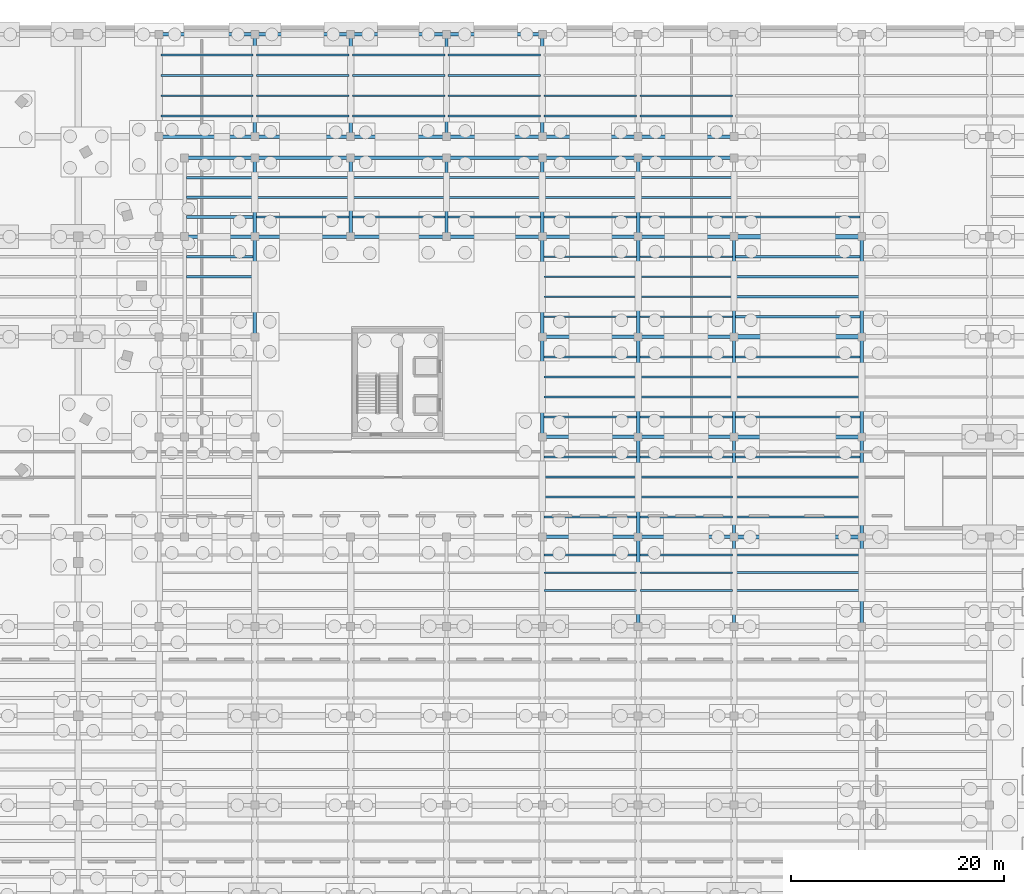
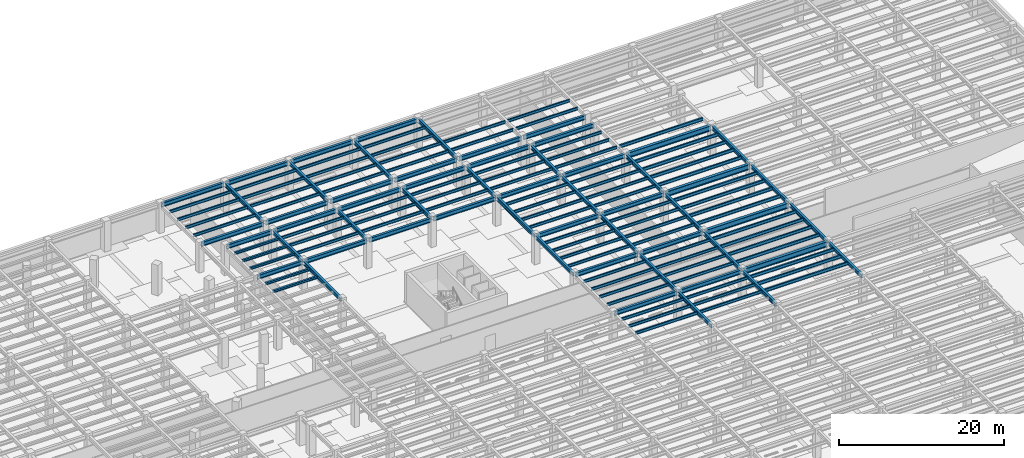
# One storey, part 25 of 49: 142 beams.
"""IFC4 building model written with IfcOpenShell, lengths in metres."""

from ifc_helpers import new_model, si_unit, direction, frame, origin, origin_2d, place, context, subcontext, project, spatial, i_section, extrude, material, material_profile, profile_set, type_object, element, save


model = new_model("IFC4")

# Units and contexts
model_context = context("Model", 3, precision=1e-05, world=origin(), true_north=direction((0.0, 1.0)))
body_context = subcontext(model_context, "Body", "Model", "MODEL_VIEW")
ifc_project = project(units=[si_unit("LENGTHUNIT", "METRE"), si_unit("AREAUNIT", "SQUARE_METRE"), si_unit("VOLUMEUNIT", "CUBIC_METRE"), si_unit("PLANEANGLEUNIT", "RADIAN"), si_unit("MASSUNIT", "GRAM", prefix="KILO")], contexts=[model_context])

# Site, building, storey
site_placement = place(None, origin())
site = spatial("IfcSite", under=ifc_project, at=site_placement, CompositionType="ELEMENT")
building_placement = place(site_placement, origin())
building = spatial("IfcBuilding", under=site, at=building_placement, Name="Sollismere Congress Hotel", CompositionType="ELEMENT")
storey_placement = place(building_placement, frame((0.0, 0.0, -4.5)))
storey = spatial("IfcBuildingStorey", under=building, at=storey_placement, Name="B1", CompositionType="ELEMENT", Elevation=-4.5)

# Beams
ifc_material = material(Name="Steel ASTM A992 Grade 50", Category="steel")
ifc_material_profile_1 = material_profile(ifc_material, i_section(OverallWidth=0.31494140625, OverallDepth=0.551025390625, WebThickness=0.01513671875, FlangeThickness=0.0244140625, at=origin_2d()), Name="W21X122")
ifc_profile_set_1 = profile_set([ifc_material_profile_1], Name="Steel ASTM A992 Grade 50")
beam_type_1 = type_object("IfcBeamType", Name="BM-G21H", PredefinedType="BEAM", material=ifc_profile_set_1)
beam_1_placement = place(storey_placement, frame((67.0, 85.739990234375, 3.924560546875), z_axis=(0.0, 1.0, 0.0), x_axis=(-1.0, 0.0, 0.0)))
element("IfcBeam", 1, at=beam_1_placement, inside=storey, type_object=beam_type_1, Name="Beam BM-B1-0342", PredefinedType="BEAM", context=body_context, shape_type="SweptSolid", body=[
    extrude(i_section(OverallWidth=0.31494140625, OverallDepth=0.551025390625, WebThickness=0.01513671875, FlangeThickness=0.0244140625, at=origin_2d()), origin(), (0.0, 0.0, 1.0), 9.1201171875),
])
beam_2_placement = place(storey_placement, frame((67.0, 95.139892578125, 3.924560546875), z_axis=(0.0, 1.0, 0.0), x_axis=(-1.0, 0.0, 0.0)))
element("IfcBeam", 2, at=beam_2_placement, inside=storey, type_object=beam_type_1, Name="Beam BM-B1-0343", PredefinedType="BEAM", context=body_context, shape_type="SweptSolid", body=[
    extrude(i_section(OverallWidth=0.31494140625, OverallDepth=0.551025390625, WebThickness=0.01513671875, FlangeThickness=0.0244140625, at=origin_2d()), origin(), (0.0, 0.0, 1.0), 7.1201171875),
])
beam_3_placement = place(storey_placement, frame((67.0, 104.5400390625, 3.924560546875), z_axis=(0.0, 1.0, 0.0), x_axis=(-1.0, 0.0, 0.0)))
element("IfcBeam", 3, at=beam_3_placement, inside=storey, type_object=beam_type_1, Name="Beam BM-B1-0344", PredefinedType="BEAM", context=body_context, shape_type="SweptSolid", body=[
    extrude(i_section(OverallWidth=0.31494140625, OverallDepth=0.551025390625, WebThickness=0.01513671875, FlangeThickness=0.0244140625, at=origin_2d()), origin(), (0.0, 0.0, 1.0), 9.320068359375),
])
beam_4_placement = place(storey_placement, frame((76.0, 95.139892578125, 3.924560546875), z_axis=(0.0, 1.0, 0.0), x_axis=(-1.0, 0.0, 0.0)))
element("IfcBeam", 4, at=beam_4_placement, inside=storey, type_object=beam_type_1, Name="Beam BM-B1-0355", PredefinedType="BEAM", context=body_context, shape_type="SweptSolid", body=[
    extrude(i_section(OverallWidth=0.31494140625, OverallDepth=0.551025390625, WebThickness=0.01513671875, FlangeThickness=0.0244140625, at=origin_2d()), origin(), (0.0, 0.0, 1.0), 7.1201171875),
])
beam_5_placement = place(storey_placement, frame((76.0, 104.5400390625, 3.924560546875), z_axis=(0.0, 1.0, 0.0), x_axis=(-1.0, 0.0, 0.0)))
element("IfcBeam", 5, at=beam_5_placement, inside=storey, type_object=beam_type_1, Name="Beam BM-B1-0356", PredefinedType="BEAM", context=body_context, shape_type="SweptSolid", body=[
    extrude(i_section(OverallWidth=0.31494140625, OverallDepth=0.551025390625, WebThickness=0.01513671875, FlangeThickness=0.0244140625, at=origin_2d()), origin(), (0.0, 0.0, 1.0), 9.320068359375),
])
beam_6_placement = place(storey_placement, frame((85.0, 95.139892578125, 3.924560546875), z_axis=(0.0, 1.0, 0.0), x_axis=(-1.0, 0.0, 0.0)))
element("IfcBeam", 6, at=beam_6_placement, inside=storey, type_object=beam_type_1, Name="Beam BM-B1-0367", PredefinedType="BEAM", context=body_context, shape_type="SweptSolid", body=[
    extrude(i_section(OverallWidth=0.31494140625, OverallDepth=0.551025390625, WebThickness=0.01513671875, FlangeThickness=0.0244140625, at=origin_2d()), origin(), (0.0, 0.0, 1.0), 7.1201171875),
])
beam_7_placement = place(storey_placement, frame((85.0, 104.5400390625, 3.924560546875), z_axis=(0.0, 1.0, 0.0), x_axis=(-1.0, 0.0, 0.0)))
element("IfcBeam", 7, at=beam_7_placement, inside=storey, type_object=beam_type_1, Name="Beam BM-B1-0368", PredefinedType="BEAM", context=body_context, shape_type="SweptSolid", body=[
    extrude(i_section(OverallWidth=0.31494140625, OverallDepth=0.551025390625, WebThickness=0.01513671875, FlangeThickness=0.0244140625, at=origin_2d()), origin(), (0.0, 0.0, 1.0), 9.320068359375),
])
beam_8_placement = place(storey_placement, frame((94.0, 76.340087890625, 3.924560546875), z_axis=(0.0, 1.0, 0.0), x_axis=(-1.0, 0.0, 0.0)))
element("IfcBeam", 8, at=beam_8_placement, inside=storey, type_object=beam_type_1, Name="Beam BM-B1-0378", PredefinedType="BEAM", context=body_context, shape_type="SweptSolid", body=[
    extrude(i_section(OverallWidth=0.31494140625, OverallDepth=0.551025390625, WebThickness=0.01513671875, FlangeThickness=0.0244140625, at=origin_2d()), origin(), (0.0, 0.0, 1.0), 9.119873046875),
])
beam_9_placement = place(storey_placement, frame((94.0, 85.739990234375, 3.924560546875), z_axis=(0.0, 1.0, 0.0), x_axis=(-1.0, 0.0, 0.0)))
element("IfcBeam", 9, at=beam_9_placement, inside=storey, type_object=beam_type_1, Name="Beam BM-B1-0379", PredefinedType="BEAM", context=body_context, shape_type="SweptSolid", body=[
    extrude(i_section(OverallWidth=0.31494140625, OverallDepth=0.551025390625, WebThickness=0.01513671875, FlangeThickness=0.0244140625, at=origin_2d()), origin(), (0.0, 0.0, 1.0), 9.1201171875),
])
beam_10_placement = place(storey_placement, frame((94.0, 95.139892578125, 3.924560546875), z_axis=(0.0, 1.0, 0.0), x_axis=(-1.0, 0.0, 0.0)))
element("IfcBeam", 10, at=beam_10_placement, inside=storey, type_object=beam_type_1, Name="Beam BM-B1-0380", PredefinedType="BEAM", context=body_context, shape_type="SweptSolid", body=[
    extrude(i_section(OverallWidth=0.31494140625, OverallDepth=0.551025390625, WebThickness=0.01513671875, FlangeThickness=0.0244140625, at=origin_2d()), origin(), (0.0, 0.0, 1.0), 7.1201171875),
])
beam_11_placement = place(storey_placement, frame((94.0, 104.5400390625, 3.924560546875), z_axis=(0.0, 1.0, 0.0), x_axis=(-1.0, 0.0, 0.0)))
element("IfcBeam", 11, at=beam_11_placement, inside=storey, type_object=beam_type_1, Name="Beam BM-B1-0381", PredefinedType="BEAM", context=body_context, shape_type="SweptSolid", body=[
    extrude(i_section(OverallWidth=0.31494140625, OverallDepth=0.551025390625, WebThickness=0.01513671875, FlangeThickness=0.0244140625, at=origin_2d()), origin(), (0.0, 0.0, 1.0), 9.320068359375),
])
beam_12_placement = place(storey_placement, frame((103.0, 58.5400390625, 3.924560546875), z_axis=(0.0, 1.0, 0.0), x_axis=(-1.0, 0.0, 0.0)))
element("IfcBeam", 12, at=beam_12_placement, inside=storey, type_object=beam_type_1, Name="Beam BM-B1-0389", PredefinedType="BEAM", context=body_context, shape_type="SweptSolid", body=[
    extrude(i_section(OverallWidth=0.31494140625, OverallDepth=0.551025390625, WebThickness=0.01513671875, FlangeThickness=0.0244140625, at=origin_2d()), origin(), (0.0, 0.0, 1.0), 8.119873046875),
])
beam_13_placement = place(storey_placement, frame((103.0, 66.93994140625, 3.924560546875), z_axis=(0.0, 1.0, 0.0), x_axis=(-1.0, 0.0, 0.0)))
element("IfcBeam", 13, at=beam_13_placement, inside=storey, type_object=beam_type_1, Name="Beam BM-B1-0390", PredefinedType="BEAM", context=body_context, shape_type="SweptSolid", body=[
    extrude(i_section(OverallWidth=0.31494140625, OverallDepth=0.551025390625, WebThickness=0.01513671875, FlangeThickness=0.0244140625, at=origin_2d()), origin(), (0.0, 0.0, 1.0), 9.1201171875),
])
beam_14_placement = place(storey_placement, frame((103.0, 76.340087890625, 3.924560546875), z_axis=(0.0, 1.0, 0.0), x_axis=(-1.0, 0.0, 0.0)))
element("IfcBeam", 14, at=beam_14_placement, inside=storey, type_object=beam_type_1, Name="Beam BM-B1-0391", PredefinedType="BEAM", context=body_context, shape_type="SweptSolid", body=[
    extrude(i_section(OverallWidth=0.31494140625, OverallDepth=0.551025390625, WebThickness=0.01513671875, FlangeThickness=0.0244140625, at=origin_2d()), origin(), (0.0, 0.0, 1.0), 9.119873046875),
])
beam_15_placement = place(storey_placement, frame((103.0, 85.739990234375, 3.924560546875), z_axis=(0.0, 1.0, 0.0), x_axis=(-1.0, 0.0, 0.0)))
element("IfcBeam", 15, at=beam_15_placement, inside=storey, type_object=beam_type_1, Name="Beam BM-B1-0392", PredefinedType="BEAM", context=body_context, shape_type="SweptSolid", body=[
    extrude(i_section(OverallWidth=0.31494140625, OverallDepth=0.551025390625, WebThickness=0.01513671875, FlangeThickness=0.0244140625, at=origin_2d()), origin(), (0.0, 0.0, 1.0), 9.1201171875),
])
beam_16_placement = place(storey_placement, frame((103.0, 95.139892578125, 3.924560546875), z_axis=(0.0, 1.0, 0.0), x_axis=(-1.0, 0.0, 0.0)))
element("IfcBeam", 16, at=beam_16_placement, inside=storey, type_object=beam_type_1, Name="Beam BM-B1-0393", PredefinedType="BEAM", context=body_context, shape_type="SweptSolid", body=[
    extrude(i_section(OverallWidth=0.31494140625, OverallDepth=0.551025390625, WebThickness=0.01513671875, FlangeThickness=0.0244140625, at=origin_2d()), origin(), (0.0, 0.0, 1.0), 7.1201171875),
])
beam_17_placement = place(storey_placement, frame((112.0, 58.5400390625, 3.924560546875), z_axis=(0.0, 1.0, 0.0), x_axis=(-1.0, 0.0, 0.0)))
element("IfcBeam", 17, at=beam_17_placement, inside=storey, type_object=beam_type_1, Name="Beam BM-B1-0402", PredefinedType="BEAM", context=body_context, shape_type="SweptSolid", body=[
    extrude(i_section(OverallWidth=0.31494140625, OverallDepth=0.551025390625, WebThickness=0.01513671875, FlangeThickness=0.0244140625, at=origin_2d()), origin(), (0.0, 0.0, 1.0), 8.119873046875),
])
beam_18_placement = place(storey_placement, frame((112.0, 66.93994140625, 3.924560546875), z_axis=(0.0, 1.0, 0.0), x_axis=(-1.0, 0.0, 0.0)))
element("IfcBeam", 18, at=beam_18_placement, inside=storey, type_object=beam_type_1, Name="Beam BM-B1-0403", PredefinedType="BEAM", context=body_context, shape_type="SweptSolid", body=[
    extrude(i_section(OverallWidth=0.31494140625, OverallDepth=0.551025390625, WebThickness=0.01513671875, FlangeThickness=0.0244140625, at=origin_2d()), origin(), (0.0, 0.0, 1.0), 9.1201171875),
])
beam_19_placement = place(storey_placement, frame((112.0, 76.340087890625, 3.924560546875), z_axis=(0.0, 1.0, 0.0), x_axis=(-1.0, 0.0, 0.0)))
element("IfcBeam", 19, at=beam_19_placement, inside=storey, type_object=beam_type_1, Name="Beam BM-B1-0404", PredefinedType="BEAM", context=body_context, shape_type="SweptSolid", body=[
    extrude(i_section(OverallWidth=0.31494140625, OverallDepth=0.551025390625, WebThickness=0.01513671875, FlangeThickness=0.0244140625, at=origin_2d()), origin(), (0.0, 0.0, 1.0), 9.119873046875),
])
beam_20_placement = place(storey_placement, frame((112.0, 85.739990234375, 3.924560546875), z_axis=(0.0, 1.0, 0.0), x_axis=(-1.0, 0.0, 0.0)))
element("IfcBeam", 20, at=beam_20_placement, inside=storey, type_object=beam_type_1, Name="Beam BM-B1-0405", PredefinedType="BEAM", context=body_context, shape_type="SweptSolid", body=[
    extrude(i_section(OverallWidth=0.31494140625, OverallDepth=0.551025390625, WebThickness=0.01513671875, FlangeThickness=0.0244140625, at=origin_2d()), origin(), (0.0, 0.0, 1.0), 9.1201171875),
])
beam_21_placement = place(storey_placement, frame((124.0, 58.5400390625, 3.924560546875), z_axis=(0.0, 1.0, 0.0), x_axis=(-1.0, 0.0, 0.0)))
element("IfcBeam", 21, at=beam_21_placement, inside=storey, type_object=beam_type_1, Name="Beam BM-B1-0415", PredefinedType="BEAM", context=body_context, shape_type="SweptSolid", body=[
    extrude(i_section(OverallWidth=0.31494140625, OverallDepth=0.551025390625, WebThickness=0.01513671875, FlangeThickness=0.0244140625, at=origin_2d()), origin(), (0.0, 0.0, 1.0), 8.119873046875),
])
beam_22_placement = place(storey_placement, frame((124.0, 66.93994140625, 3.924560546875), z_axis=(0.0, 1.0, 0.0), x_axis=(-1.0, 0.0, 0.0)))
element("IfcBeam", 22, at=beam_22_placement, inside=storey, type_object=beam_type_1, Name="Beam BM-B1-0416", PredefinedType="BEAM", context=body_context, shape_type="SweptSolid", body=[
    extrude(i_section(OverallWidth=0.31494140625, OverallDepth=0.551025390625, WebThickness=0.01513671875, FlangeThickness=0.0244140625, at=origin_2d()), origin(), (0.0, 0.0, 1.0), 9.1201171875),
])
beam_23_placement = place(storey_placement, frame((124.0, 76.340087890625, 3.924560546875), z_axis=(0.0, 1.0, 0.0), x_axis=(-1.0, 0.0, 0.0)))
element("IfcBeam", 23, at=beam_23_placement, inside=storey, type_object=beam_type_1, Name="Beam BM-B1-0417", PredefinedType="BEAM", context=body_context, shape_type="SweptSolid", body=[
    extrude(i_section(OverallWidth=0.31494140625, OverallDepth=0.551025390625, WebThickness=0.01513671875, FlangeThickness=0.0244140625, at=origin_2d()), origin(), (0.0, 0.0, 1.0), 9.119873046875),
])
beam_24_placement = place(storey_placement, frame((124.0, 85.739990234375, 3.924560546875), z_axis=(0.0, 1.0, 0.0), x_axis=(-1.0, 0.0, 0.0)))
element("IfcBeam", 24, at=beam_24_placement, inside=storey, type_object=beam_type_1, Name="Beam BM-B1-0418", PredefinedType="BEAM", context=body_context, shape_type="SweptSolid", body=[
    extrude(i_section(OverallWidth=0.31494140625, OverallDepth=0.551025390625, WebThickness=0.01513671875, FlangeThickness=0.0244140625, at=origin_2d()), origin(), (0.0, 0.0, 1.0), 9.1201171875),
])
ifc_material_profile_2 = material_profile(ifc_material, i_section(OverallWidth=0.324951171875, OverallDepth=0.612060546875, WebThickness=0.0126953125, FlangeThickness=0.01904296875, at=origin_2d()), Name="W24X104")
ifc_profile_set_2 = profile_set([ifc_material_profile_2], Name="Steel ASTM A992 Grade 50")
beam_type_2 = type_object("IfcBeamType", Name="BM-G24", PredefinedType="BEAM", material=ifc_profile_set_2)
for number, where, z_axis, x_axis, name in (
    (25, (94.139892578125, 66.800048828125, 3.89404296875), (1.0, 0.0, 0.0), (0.0, 1.0, 0.0), "Beam BM-B1-0136"),
    (26, (103.139892578125, 66.800048828125, 3.89404296875), (1.0, 0.0, 0.0), (0.0, 1.0, 0.0), "Beam BM-B1-0137"),
    (27, (94.139892578125, 76.199951171875, 3.89404296875), (1.0, 0.0, 0.0), (0.0, 1.0, 0.0), "Beam BM-B1-0150"),
    (28, (103.139892578125, 76.199951171875, 3.89404296875), (1.0, 0.0, 0.0), (0.0, 1.0, 0.0), "Beam BM-B1-0151"),
    (29, (94.139892578125, 85.60009765625, 3.89404296875), (1.0, 0.0, 0.0), (0.0, 1.0, 0.0), "Beam BM-B1-0166"),
    (30, (103.139892578125, 85.60009765625, 3.89404296875), (1.0, 0.0, 0.0), (0.0, 1.0, 0.0), "Beam BM-B1-0167"),
):
    element("IfcBeam", number, at=place(storey_placement, frame(where, z_axis=z_axis, x_axis=x_axis)), inside=storey, type_object=beam_type_2, Name=name, PredefinedType="BEAM", context=body_context, shape_type="SweptSolid", body=[
        extrude(i_section(OverallWidth=0.324951171875, OverallDepth=0.612060546875, WebThickness=0.0126953125, FlangeThickness=0.01904296875, at=origin_2d()), origin(), (0.0, 0.0, 1.0), 8.72021484375),
    ])
beam_25_placement = place(storey_placement, frame((60.5400390625, 95.0, 3.89404296875), z_axis=(1.0, 0.0, 0.0), x_axis=(0.0, 1.0, 0.0)))
element("IfcBeam", 31, at=beam_25_placement, inside=storey, type_object=beam_type_2, Name="Beam BM-B1-0181", PredefinedType="BEAM", context=body_context, shape_type="SweptSolid", body=[
    extrude(i_section(OverallWidth=0.324951171875, OverallDepth=0.612060546875, WebThickness=0.0126953125, FlangeThickness=0.01904296875, at=origin_2d()), origin(), (0.0, 0.0, 1.0), 6.320068359375),
])
for number, where, z_axis, x_axis, name in (
    (32, (67.139892578125, 95.0, 3.89404296875), (1.0, 0.0, 0.0), (0.0, 1.0, 0.0), "Beam BM-B1-0182"),
    (33, (76.139892578125, 95.0, 3.89404296875), (1.0, 0.0, 0.0), (0.0, 1.0, 0.0), "Beam BM-B1-0183"),
    (34, (85.139892578125, 95.0, 3.89404296875), (1.0, 0.0, 0.0), (0.0, 1.0, 0.0), "Beam BM-B1-0184"),
    (35, (94.139892578125, 95.0, 3.89404296875), (1.0, 0.0, 0.0), (0.0, 1.0, 0.0), "Beam BM-B1-0185"),
    (36, (103.139892578125, 95.0, 3.89404296875), (1.0, 0.0, 0.0), (0.0, 1.0, 0.0), "Beam BM-B1-0186"),
    (37, (58.139892578125, 104.39990234375, 3.89404296875), (1.0, 0.0, 0.0), (0.0, 1.0, 0.0), "Beam BM-B1-0197"),
    (38, (67.139892578125, 104.39990234375, 3.89404296875), (1.0, 0.0, 0.0), (0.0, 1.0, 0.0), "Beam BM-B1-0198"),
    (39, (76.139892578125, 104.39990234375, 3.89404296875), (1.0, 0.0, 0.0), (0.0, 1.0, 0.0), "Beam BM-B1-0199"),
    (40, (85.139892578125, 104.39990234375, 3.89404296875), (1.0, 0.0, 0.0), (0.0, 1.0, 0.0), "Beam BM-B1-0200"),
    (41, (94.139892578125, 104.39990234375, 3.89404296875), (1.0, 0.0, 0.0), (0.0, 1.0, 0.0), "Beam BM-B1-0201"),
    (42, (103.139892578125, 104.39990234375, 3.89404296875), (1.0, 0.0, 0.0), (0.0, 1.0, 0.0), "Beam BM-B1-0202"),
):
    element("IfcBeam", number, at=place(storey_placement, frame(where, z_axis=z_axis, x_axis=x_axis)), inside=storey, type_object=beam_type_2, Name=name, PredefinedType="BEAM", context=body_context, shape_type="SweptSolid", body=[
        extrude(i_section(OverallWidth=0.324951171875, OverallDepth=0.612060546875, WebThickness=0.0126953125, FlangeThickness=0.01904296875, at=origin_2d()), origin(), (0.0, 0.0, 1.0), 8.72021484375),
    ])
beam_26_placement = place(storey_placement, frame((60.5400390625, 102.39990234375, 3.89404296875), z_axis=(1.0, 0.0, 0.0), x_axis=(0.0, 1.0, 0.0)))
element("IfcBeam", 43, at=beam_26_placement, inside=storey, type_object=beam_type_2, Name="Beam BM-B1-0226", PredefinedType="BEAM", context=body_context, shape_type="SweptSolid", body=[
    extrude(i_section(OverallWidth=0.324951171875, OverallDepth=0.612060546875, WebThickness=0.0126953125, FlangeThickness=0.01904296875, at=origin_2d()), origin(), (0.0, 0.0, 1.0), 6.320068359375),
])
for number, where, z_axis, x_axis, name in (
    (44, (67.139892578125, 102.39990234375, 3.89404296875), (1.0, 0.0, 0.0), (0.0, 1.0, 0.0), "Beam BM-B1-0227"),
    (45, (76.139892578125, 102.39990234375, 3.89404296875), (1.0, 0.0, 0.0), (0.0, 1.0, 0.0), "Beam BM-B1-0228"),
    (46, (85.139892578125, 102.39990234375, 3.89404296875), (1.0, 0.0, 0.0), (0.0, 1.0, 0.0), "Beam BM-B1-0229"),
    (47, (94.139892578125, 102.39990234375, 3.89404296875), (1.0, 0.0, 0.0), (0.0, 1.0, 0.0), "Beam BM-B1-0230"),
    (48, (103.139892578125, 102.39990234375, 3.89404296875), (1.0, 0.0, 0.0), (0.0, 1.0, 0.0), "Beam BM-B1-0231"),
):
    element("IfcBeam", number, at=place(storey_placement, frame(where, z_axis=z_axis, x_axis=x_axis)), inside=storey, type_object=beam_type_2, Name=name, PredefinedType="BEAM", context=body_context, shape_type="SweptSolid", body=[
        extrude(i_section(OverallWidth=0.324951171875, OverallDepth=0.612060546875, WebThickness=0.0126953125, FlangeThickness=0.01904296875, at=origin_2d()), origin(), (0.0, 0.0, 1.0), 8.72021484375),
    ])
ifc_material_profile_3 = material_profile(ifc_material, i_section(OverallWidth=0.384033203125, OverallDepth=0.787109375, WebThickness=0.019775390625, FlangeThickness=0.033447265625, at=origin_2d()), Name="W30X211")
ifc_profile_set_3 = profile_set([ifc_material_profile_3], Name="Steel ASTM A992 Grade 50")
beam_type_3 = type_object("IfcBeamType", Name="BM-G30", PredefinedType="BEAM", material=ifc_profile_set_3)
for number, where, z_axis, x_axis, name in (
    (49, (112.139892578125, 66.800048828125, 3.806396484375), (1.0, 0.0, 0.0), (0.0, 1.0, 0.0), "Beam BM-B1-0138"),
    (50, (112.139892578125, 76.199951171875, 3.806396484375), (1.0, 0.0, 0.0), (0.0, 1.0, 0.0), "Beam BM-B1-0152"),
    (51, (112.139892578125, 85.60009765625, 3.806396484375), (1.0, 0.0, 0.0), (0.0, 1.0, 0.0), "Beam BM-B1-0168"),
    (52, (112.139892578125, 95.0, 3.806396484375), (1.0, 0.0, 0.0), (0.0, 1.0, 0.0), "Beam BM-B1-0187"),
):
    element("IfcBeam", number, at=place(storey_placement, frame(where, z_axis=z_axis, x_axis=x_axis)), inside=storey, type_object=beam_type_3, Name=name, PredefinedType="BEAM", context=body_context, shape_type="SweptSolid", body=[
        extrude(i_section(OverallWidth=0.384033203125, OverallDepth=0.787109375, WebThickness=0.019775390625, FlangeThickness=0.033447265625, at=origin_2d()), origin(), (0.0, 0.0, 1.0), 11.72021484375),
    ])
ifc_material_profile_4 = material_profile(ifc_material, i_section(OverallWidth=0.25390625, OverallDepth=0.35595703125, WebThickness=0.010498046875, FlangeThickness=0.018310546875, at=origin_2d()), Name="W14X68")
ifc_profile_set_4 = profile_set([ifc_material_profile_4], Name="Steel ASTM A992 Grade 50")
beam_type_4 = type_object("IfcBeamType", Name="BM-J14", PredefinedType="JOIST", material=ifc_profile_set_4)
for number, where, z_axis, x_axis, name in (
    (53, (60.5576171875, 91.239990234375, 4.02197265625), (1.0, 0.0, 0.0), (0.0, 1.0, 0.0), "Beam BM-B1-0757"),
    (54, (60.5576171875, 93.1201171875, 4.02197265625), (1.0, 0.0, 0.0), (0.0, 1.0, 0.0), "Beam BM-B1-0758"),
    (55, (60.5576171875, 96.85009765625, 4.02197265625), (1.0, 0.0, 0.0), (0.0, 1.0, 0.0), "Beam BM-B1-0759"),
    (56, (60.5576171875, 98.699951171875, 4.02197265625), (1.0, 0.0, 0.0), (0.0, 1.0, 0.0), "Beam BM-B1-0760"),
    (57, (60.5576171875, 100.550048828125, 4.02197265625), (1.0, 0.0, 0.0), (0.0, 1.0, 0.0), "Beam BM-B1-0761"),
):
    element("IfcBeam", number, at=place(storey_placement, frame(where, z_axis=z_axis, x_axis=x_axis)), inside=storey, type_object=beam_type_4, Name=name, PredefinedType="JOIST", context=body_context, shape_type="SweptSolid", body=[
        extrude(i_section(OverallWidth=0.25390625, OverallDepth=0.35595703125, WebThickness=0.010498046875, FlangeThickness=0.018310546875, at=origin_2d()), origin(), (0.0, 0.0, 1.0), 6.284912109375),
    ])
ifc_material_profile_5 = material_profile(ifc_material, i_section(OverallWidth=0.180908203125, OverallDepth=0.4169921875, WebThickness=0.010986328125, FlangeThickness=0.018310546875, at=origin_2d()), Name="W16X57")
ifc_profile_set_5 = profile_set([ifc_material_profile_5], Name="Steel ASTM A992 Grade 50")
beam_type_5 = type_object("IfcBeamType", Name="BM-J16", PredefinedType="JOIST", material=ifc_profile_set_5)
for number, where, z_axis, x_axis, name in (
    (58, (58.157470703125, 106.320068359375, 3.991455078125), (1.0, 0.0, 0.0), (0.0, 1.0, 0.0), "Beam BM-B1-0743"),
    (59, (58.157470703125, 108.239990234375, 3.991455078125), (1.0, 0.0, 0.0), (0.0, 1.0, 0.0), "Beam BM-B1-0744"),
    (60, (58.157470703125, 110.159912109375, 3.991455078125), (1.0, 0.0, 0.0), (0.0, 1.0, 0.0), "Beam BM-B1-0745"),
    (61, (58.157470703125, 112.080078125, 3.991455078125), (1.0, 0.0, 0.0), (0.0, 1.0, 0.0), "Beam BM-B1-0746"),
    (62, (67.157470703125, 96.85009765625, 3.991455078125), (1.0, 0.0, 0.0), (0.0, 1.0, 0.0), "Beam BM-B1-0792"),
    (63, (67.157470703125, 98.699951171875, 3.991455078125), (1.0, 0.0, 0.0), (0.0, 1.0, 0.0), "Beam BM-B1-0793"),
    (64, (67.157470703125, 100.550048828125, 3.991455078125), (1.0, 0.0, 0.0), (0.0, 1.0, 0.0), "Beam BM-B1-0794"),
    (65, (67.157470703125, 106.320068359375, 3.991455078125), (1.0, 0.0, 0.0), (0.0, 1.0, 0.0), "Beam BM-B1-0795"),
    (66, (67.157470703125, 108.239990234375, 3.991455078125), (1.0, 0.0, 0.0), (0.0, 1.0, 0.0), "Beam BM-B1-0796"),
    (67, (67.157470703125, 110.159912109375, 3.991455078125), (1.0, 0.0, 0.0), (0.0, 1.0, 0.0), "Beam BM-B1-0797"),
    (68, (67.157470703125, 112.080078125, 3.991455078125), (1.0, 0.0, 0.0), (0.0, 1.0, 0.0), "Beam BM-B1-0798"),
    (69, (76.157470703125, 96.85009765625, 3.991455078125), (1.0, 0.0, 0.0), (0.0, 1.0, 0.0), "Beam BM-B1-0829"),
    (70, (76.157470703125, 98.699951171875, 3.991455078125), (1.0, 0.0, 0.0), (0.0, 1.0, 0.0), "Beam BM-B1-0830"),
    (71, (76.157470703125, 100.550048828125, 3.991455078125), (1.0, 0.0, 0.0), (0.0, 1.0, 0.0), "Beam BM-B1-0831"),
    (72, (76.157470703125, 106.320068359375, 3.991455078125), (1.0, 0.0, 0.0), (0.0, 1.0, 0.0), "Beam BM-B1-0832"),
    (73, (76.157470703125, 108.239990234375, 3.991455078125), (1.0, 0.0, 0.0), (0.0, 1.0, 0.0), "Beam BM-B1-0833"),
    (74, (76.157470703125, 110.159912109375, 3.991455078125), (1.0, 0.0, 0.0), (0.0, 1.0, 0.0), "Beam BM-B1-0834"),
    (75, (76.157470703125, 112.080078125, 3.991455078125), (1.0, 0.0, 0.0), (0.0, 1.0, 0.0), "Beam BM-B1-0835"),
    (76, (85.157470703125, 96.85009765625, 3.991455078125), (1.0, 0.0, 0.0), (0.0, 1.0, 0.0), "Beam BM-B1-0859"),
    (77, (85.157470703125, 98.699951171875, 3.991455078125), (1.0, 0.0, 0.0), (0.0, 1.0, 0.0), "Beam BM-B1-0860"),
    (78, (85.157470703125, 100.550048828125, 3.991455078125), (1.0, 0.0, 0.0), (0.0, 1.0, 0.0), "Beam BM-B1-0861"),
    (79, (85.157470703125, 106.320068359375, 3.991455078125), (1.0, 0.0, 0.0), (0.0, 1.0, 0.0), "Beam BM-B1-0862"),
    (80, (85.157470703125, 108.239990234375, 3.991455078125), (1.0, 0.0, 0.0), (0.0, 1.0, 0.0), "Beam BM-B1-0863"),
    (81, (85.157470703125, 110.159912109375, 3.991455078125), (1.0, 0.0, 0.0), (0.0, 1.0, 0.0), "Beam BM-B1-0864"),
    (82, (85.157470703125, 112.080078125, 3.991455078125), (1.0, 0.0, 0.0), (0.0, 1.0, 0.0), "Beam BM-B1-0865"),
    (83, (94.157470703125, 61.760009765625, 3.991455078125), (1.0, 0.0, 0.0), (0.0, 1.0, 0.0), "Beam BM-B1-0886"),
    (84, (94.157470703125, 63.43994140625, 3.991455078125), (1.0, 0.0, 0.0), (0.0, 1.0, 0.0), "Beam BM-B1-0887"),
    (85, (94.157470703125, 65.1201171875, 3.991455078125), (1.0, 0.0, 0.0), (0.0, 1.0, 0.0), "Beam BM-B1-0888"),
    (86, (94.157470703125, 68.679931640625, 3.991455078125), (1.0, 0.0, 0.0), (0.0, 1.0, 0.0), "Beam BM-B1-0889"),
    (87, (94.157470703125, 70.56005859375, 3.991455078125), (1.0, 0.0, 0.0), (0.0, 1.0, 0.0), "Beam BM-B1-0890"),
    (88, (94.157470703125, 72.43994140625, 3.991455078125), (1.0, 0.0, 0.0), (0.0, 1.0, 0.0), "Beam BM-B1-0891"),
    (89, (94.157470703125, 74.320068359375, 3.991455078125), (1.0, 0.0, 0.0), (0.0, 1.0, 0.0), "Beam BM-B1-0892"),
    (90, (94.157470703125, 78.080078125, 3.991455078125), (1.0, 0.0, 0.0), (0.0, 1.0, 0.0), "Beam BM-B1-0893"),
    (91, (94.157470703125, 79.9599609375, 3.991455078125), (1.0, 0.0, 0.0), (0.0, 1.0, 0.0), "Beam BM-B1-0894"),
    (92, (94.157470703125, 81.840087890625, 3.991455078125), (1.0, 0.0, 0.0), (0.0, 1.0, 0.0), "Beam BM-B1-0895"),
    (93, (94.157470703125, 83.719970703125, 3.991455078125), (1.0, 0.0, 0.0), (0.0, 1.0, 0.0), "Beam BM-B1-0896"),
    (94, (94.157470703125, 87.47998046875, 3.991455078125), (1.0, 0.0, 0.0), (0.0, 1.0, 0.0), "Beam BM-B1-0897"),
    (95, (94.157470703125, 89.360107421875, 3.991455078125), (1.0, 0.0, 0.0), (0.0, 1.0, 0.0), "Beam BM-B1-0898"),
    (96, (94.157470703125, 91.239990234375, 3.991455078125), (1.0, 0.0, 0.0), (0.0, 1.0, 0.0), "Beam BM-B1-0899"),
    (97, (94.157470703125, 93.1201171875, 3.991455078125), (1.0, 0.0, 0.0), (0.0, 1.0, 0.0), "Beam BM-B1-0900"),
    (98, (94.157470703125, 96.85009765625, 3.991455078125), (1.0, 0.0, 0.0), (0.0, 1.0, 0.0), "Beam BM-B1-0901"),
    (99, (94.157470703125, 98.699951171875, 3.991455078125), (1.0, 0.0, 0.0), (0.0, 1.0, 0.0), "Beam BM-B1-0902"),
    (100, (94.157470703125, 100.550048828125, 3.991455078125), (1.0, 0.0, 0.0), (0.0, 1.0, 0.0), "Beam BM-B1-0903"),
    (101, (94.157470703125, 106.320068359375, 3.991455078125), (1.0, 0.0, 0.0), (0.0, 1.0, 0.0), "Beam BM-B1-0904"),
    (102, (94.157470703125, 108.239990234375, 3.991455078125), (1.0, 0.0, 0.0), (0.0, 1.0, 0.0), "Beam BM-B1-0905"),
    (103, (103.157470703125, 61.760009765625, 3.991455078125), (1.0, 0.0, 0.0), (0.0, 1.0, 0.0), "Beam BM-B1-0925"),
    (104, (103.157470703125, 63.43994140625, 3.991455078125), (1.0, 0.0, 0.0), (0.0, 1.0, 0.0), "Beam BM-B1-0926"),
    (105, (103.157470703125, 65.1201171875, 3.991455078125), (1.0, 0.0, 0.0), (0.0, 1.0, 0.0), "Beam BM-B1-0927"),
    (106, (103.157470703125, 68.679931640625, 3.991455078125), (1.0, 0.0, 0.0), (0.0, 1.0, 0.0), "Beam BM-B1-0928"),
    (107, (103.157470703125, 70.56005859375, 3.991455078125), (1.0, 0.0, 0.0), (0.0, 1.0, 0.0), "Beam BM-B1-0929"),
    (108, (103.157470703125, 72.43994140625, 3.991455078125), (1.0, 0.0, 0.0), (0.0, 1.0, 0.0), "Beam BM-B1-0930"),
    (109, (103.157470703125, 74.320068359375, 3.991455078125), (1.0, 0.0, 0.0), (0.0, 1.0, 0.0), "Beam BM-B1-0931"),
    (110, (103.157470703125, 78.080078125, 3.991455078125), (1.0, 0.0, 0.0), (0.0, 1.0, 0.0), "Beam BM-B1-0932"),
    (111, (103.157470703125, 79.9599609375, 3.991455078125), (1.0, 0.0, 0.0), (0.0, 1.0, 0.0), "Beam BM-B1-0933"),
    (112, (103.157470703125, 81.840087890625, 3.991455078125), (1.0, 0.0, 0.0), (0.0, 1.0, 0.0), "Beam BM-B1-0934"),
    (113, (103.157470703125, 83.719970703125, 3.991455078125), (1.0, 0.0, 0.0), (0.0, 1.0, 0.0), "Beam BM-B1-0935"),
    (114, (103.157470703125, 87.47998046875, 3.991455078125), (1.0, 0.0, 0.0), (0.0, 1.0, 0.0), "Beam BM-B1-0936"),
    (115, (103.157470703125, 89.360107421875, 3.991455078125), (1.0, 0.0, 0.0), (0.0, 1.0, 0.0), "Beam BM-B1-0937"),
    (116, (103.157470703125, 91.239990234375, 3.991455078125), (1.0, 0.0, 0.0), (0.0, 1.0, 0.0), "Beam BM-B1-0938"),
    (117, (103.157470703125, 93.1201171875, 3.991455078125), (1.0, 0.0, 0.0), (0.0, 1.0, 0.0), "Beam BM-B1-0939"),
    (118, (103.157470703125, 96.85009765625, 3.991455078125), (1.0, 0.0, 0.0), (0.0, 1.0, 0.0), "Beam BM-B1-0940"),
    (119, (103.157470703125, 98.699951171875, 3.991455078125), (1.0, 0.0, 0.0), (0.0, 1.0, 0.0), "Beam BM-B1-0941"),
    (120, (103.157470703125, 100.550048828125, 3.991455078125), (1.0, 0.0, 0.0), (0.0, 1.0, 0.0), "Beam BM-B1-0942"),
    (121, (103.157470703125, 106.320068359375, 3.991455078125), (1.0, 0.0, 0.0), (0.0, 1.0, 0.0), "Beam BM-B1-0943"),
    (122, (103.157470703125, 108.239990234375, 3.991455078125), (1.0, 0.0, 0.0), (0.0, 1.0, 0.0), "Beam BM-B1-0944"),
):
    element("IfcBeam", number, at=place(storey_placement, frame(where, z_axis=z_axis, x_axis=x_axis)), inside=storey, type_object=beam_type_5, Name=name, PredefinedType="JOIST", context=body_context, shape_type="SweptSolid", body=[
        extrude(i_section(OverallWidth=0.180908203125, OverallDepth=0.4169921875, WebThickness=0.010986328125, FlangeThickness=0.018310546875, at=origin_2d()), origin(), (0.0, 0.0, 1.0), 8.68505859375),
    ])
ifc_material_profile_6 = material_profile(ifc_material, i_section(OverallWidth=0.193115234375, OverallDepth=0.467041015625, WebThickness=0.011474609375, FlangeThickness=0.01904296875, at=origin_2d()), Name="W18X65")
ifc_profile_set_6 = profile_set([ifc_material_profile_6], Name="Steel ASTM A992 Grade 50")
beam_type_6 = type_object("IfcBeamType", Name="BM-J18", PredefinedType="JOIST", material=ifc_profile_set_6)
for number, where, z_axis, x_axis, name in (
    (123, (112.157470703125, 61.760009765625, 3.966552734375), (1.0, 0.0, 0.0), (0.0, 1.0, 0.0), "Beam BM-B1-0975"),
    (124, (112.157470703125, 63.43994140625, 3.966552734375), (1.0, 0.0, 0.0), (0.0, 1.0, 0.0), "Beam BM-B1-0976"),
    (125, (112.157470703125, 65.1201171875, 3.966552734375), (1.0, 0.0, 0.0), (0.0, 1.0, 0.0), "Beam BM-B1-0977"),
    (126, (112.157470703125, 68.679931640625, 3.966552734375), (1.0, 0.0, 0.0), (0.0, 1.0, 0.0), "Beam BM-B1-0978"),
    (127, (112.157470703125, 70.56005859375, 3.966552734375), (1.0, 0.0, 0.0), (0.0, 1.0, 0.0), "Beam BM-B1-0979"),
    (128, (112.157470703125, 72.43994140625, 3.966552734375), (1.0, 0.0, 0.0), (0.0, 1.0, 0.0), "Beam BM-B1-0980"),
    (129, (112.157470703125, 74.320068359375, 3.966552734375), (1.0, 0.0, 0.0), (0.0, 1.0, 0.0), "Beam BM-B1-0981"),
    (130, (112.157470703125, 78.080078125, 3.966552734375), (1.0, 0.0, 0.0), (0.0, 1.0, 0.0), "Beam BM-B1-0982"),
    (131, (112.157470703125, 79.9599609375, 3.966552734375), (1.0, 0.0, 0.0), (0.0, 1.0, 0.0), "Beam BM-B1-0983"),
    (132, (112.157470703125, 81.840087890625, 3.966552734375), (1.0, 0.0, 0.0), (0.0, 1.0, 0.0), "Beam BM-B1-0984"),
    (133, (112.157470703125, 83.719970703125, 3.966552734375), (1.0, 0.0, 0.0), (0.0, 1.0, 0.0), "Beam BM-B1-0985"),
    (134, (112.157470703125, 87.47998046875, 3.966552734375), (1.0, 0.0, 0.0), (0.0, 1.0, 0.0), "Beam BM-B1-0986"),
    (135, (112.157470703125, 89.360107421875, 3.966552734375), (1.0, 0.0, 0.0), (0.0, 1.0, 0.0), "Beam BM-B1-0987"),
    (136, (112.157470703125, 91.239990234375, 3.966552734375), (1.0, 0.0, 0.0), (0.0, 1.0, 0.0), "Beam BM-B1-0988"),
    (137, (112.157470703125, 93.1201171875, 3.966552734375), (1.0, 0.0, 0.0), (0.0, 1.0, 0.0), "Beam BM-B1-0989"),
    (138, (112.157470703125, 96.85009765625, 3.966552734375), (1.0, 0.0, 0.0), (0.0, 1.0, 0.0), "Beam BM-B1-0990"),
):
    element("IfcBeam", number, at=place(storey_placement, frame(where, z_axis=z_axis, x_axis=x_axis)), inside=storey, type_object=beam_type_6, Name=name, PredefinedType="JOIST", context=body_context, shape_type="SweptSolid", body=[
        extrude(i_section(OverallWidth=0.193115234375, OverallDepth=0.467041015625, WebThickness=0.011474609375, FlangeThickness=0.01904296875, at=origin_2d()), origin(), (0.0, 0.0, 1.0), 11.68505859375),
    ])
ifc_material_profile_7 = material_profile(ifc_material, i_section(OverallWidth=0.330078125, OverallDepth=0.635009765625, WebThickness=0.017822265625, FlangeThickness=0.031005859375, at=origin_2d()), Name="W24X162")
ifc_profile_set_7 = profile_set([ifc_material_profile_7], Name="Steel ASTM A992 Grade 50")
beam_type_7 = type_object("IfcBeamType", Name="BM-SP24E", PredefinedType="SPANDREL", material=ifc_profile_set_7)
for number, where, z_axis, x_axis, name in (
    (139, (58.139892578125, 114.0, 3.882568359375), (1.0, 0.0, 0.0), (0.0, 1.0, 0.0), "Beam BM-B1-0215"),
    (140, (67.139892578125, 114.0, 3.882568359375), (1.0, 0.0, 0.0), (0.0, 1.0, 0.0), "Beam BM-B1-0216"),
    (141, (76.139892578125, 114.0, 3.882568359375), (1.0, 0.0, 0.0), (0.0, 1.0, 0.0), "Beam BM-B1-0217"),
    (142, (85.139892578125, 114.0, 3.882568359375), (1.0, 0.0, 0.0), (0.0, 1.0, 0.0), "Beam BM-B1-0218"),
):
    element("IfcBeam", number, at=place(storey_placement, frame(where, z_axis=z_axis, x_axis=x_axis)), inside=storey, type_object=beam_type_7, Name=name, PredefinedType="SPANDREL", context=body_context, shape_type="SweptSolid", body=[
        extrude(i_section(OverallWidth=0.330078125, OverallDepth=0.635009765625, WebThickness=0.017822265625, FlangeThickness=0.031005859375, at=origin_2d()), origin(), (0.0, 0.0, 1.0), 8.72021484375),
    ])

save(model, "model.ifc")
